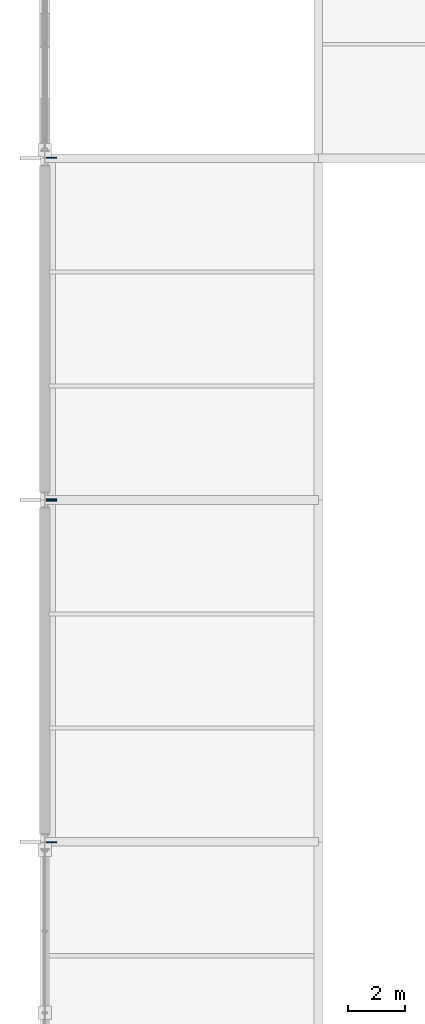
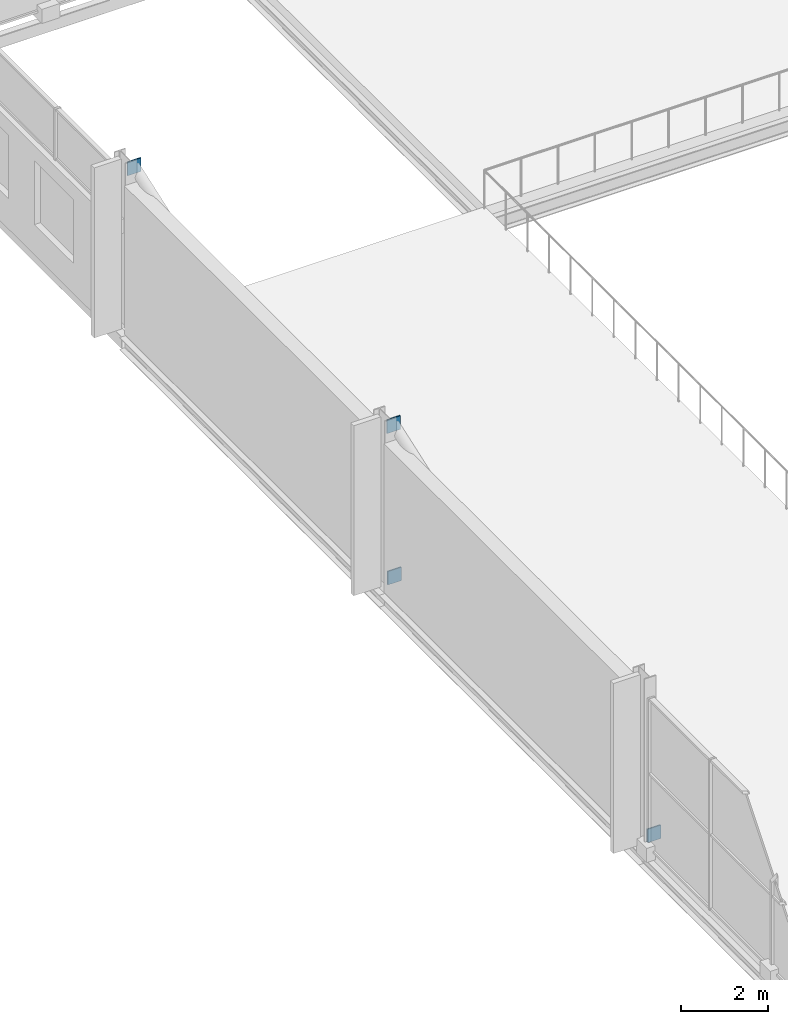
# One storey, part 135 of 159: 4 plates.
"""IFC4 building model written with IfcOpenShell, lengths in metres."""

from ifc_helpers import new_model, si_unit, direction, frame, origin, origin_2d, place, context, subcontext, project, spatial, rectangle, extrude, material, layer, layer_set, type_object, element, save


model = new_model("IFC4")

# Units and contexts
model_context = context("Model", 3, precision=1e-05, world=origin(), true_north=direction((0.0, 1.0)))
body_context = subcontext(model_context, "Body", "Model", "MODEL_VIEW")
ifc_project = project(units=[si_unit("LENGTHUNIT", "METRE"), si_unit("AREAUNIT", "SQUARE_METRE"), si_unit("VOLUMEUNIT", "CUBIC_METRE"), si_unit("PLANEANGLEUNIT", "RADIAN"), si_unit("MASSUNIT", "GRAM", prefix="KILO")], contexts=[model_context])

# Site, building, storey
site_placement = place(None, origin())
site = spatial("IfcSite", under=ifc_project, at=site_placement, CompositionType="ELEMENT")
building_placement = place(site_placement, origin())
building = spatial("IfcBuilding", under=site, at=building_placement, Name="Merenkruunu Market Hall", CompositionType="ELEMENT")
storey_placement = place(building_placement, frame((0.0, 0.0, 5.39990234375)))
storey = spatial("IfcBuildingStorey", under=building, at=storey_placement, Name="L01", CompositionType="ELEMENT", Elevation=5.39990234375)

# Plates
ifc_material = material(Name="Steel S355ML", Category="steel")
ifc_layer = layer(ifc_material, 0.035888671875)
ifc_layer_set = layer_set([ifc_layer], Name="Steel S355ML")
plate_type = type_object("IfcPlateType", Name="Truss Gusset Or Cap Plate CP08", PredefinedType="USERDEFINED", material=ifc_layer_set)
for number, where, z_axis, x_axis, name in (
    (1, (0.239990234375, 87.58203125, -0.039794921875), (0.0, 0.0, 1.0), (1.0, 0.0, 0.0), "PLT-CBF03-A"),
    (2, (0.239990234375, 99.617919921875, 4.210205078125), (0.0, 0.0, 1.0), (1.0, 0.0, 0.0), "PLT-CBF03-B"),
    (3, (0.239990234375, 75.58203125, -0.039794921875), (0.0, 0.0, 1.0), (1.0, 0.0, 0.0), "PLT-CBF04-A"),
    (4, (0.239990234375, 87.617919921875, 4.210205078125), (0.0, 0.0, 1.0), (1.0, 0.0, 0.0), "PLT-CBF04-B"),
):
    element("IfcPlate", number, at=place(storey_placement, frame(where, z_axis=z_axis, x_axis=x_axis)), inside=storey, type_object=plate_type, Name=name, ObjectType="GUSSET_PLATE", PredefinedType="USERDEFINED", context=body_context, shape_type="SweptSolid", body=[
        extrude(rectangle(XDim=0.360107421875, YDim=0.035888671875, at=origin_2d()), origin(), (0.0, 0.0, 1.0), 0.3798828125),
    ])

save(model, "model.ifc")
